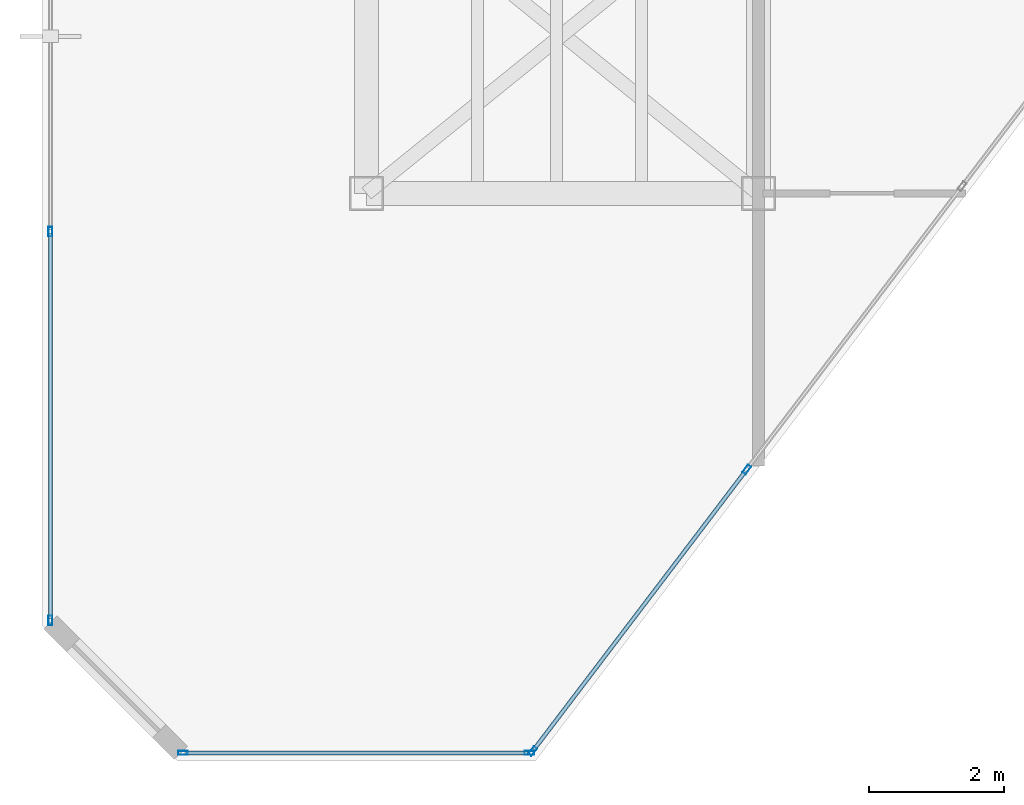
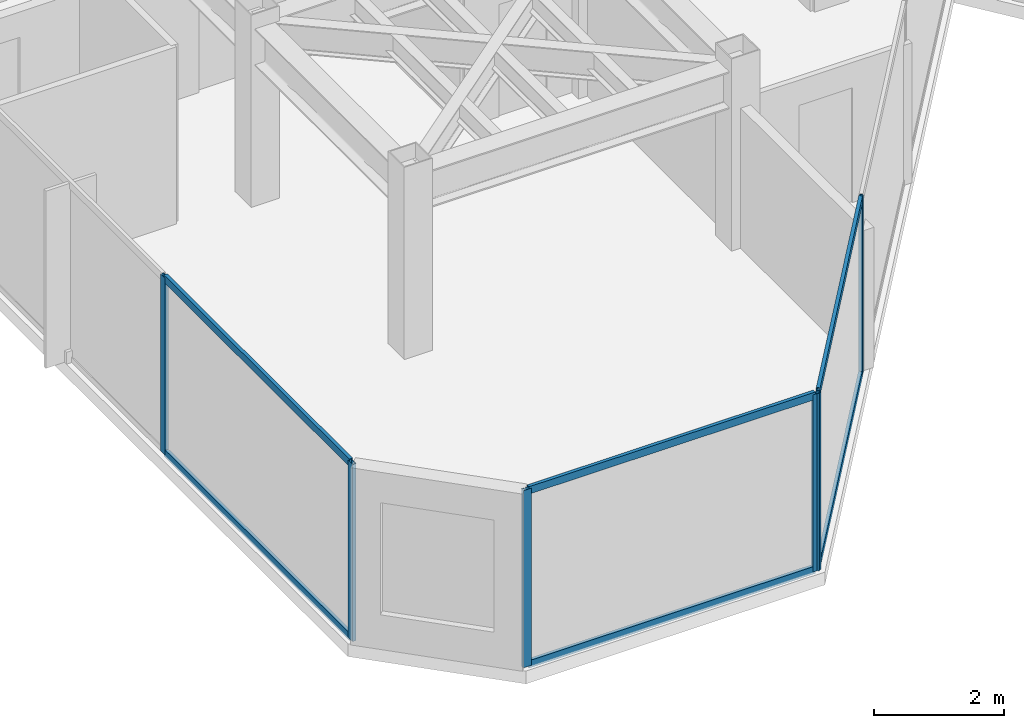
# One storey, part 2 of 19: 12 members, 3 elements without a shape of their own.
"""IFC4 building model written with IfcOpenShell, lengths in metres."""

from ifc_helpers import new_model, si_unit, direction, frame, origin, origin_2d, place, context, subcontext, project, spatial, hollow_rectangle, extrude, material, layer, layer_set, material_profile, profile_set, type_object, element, aggregate, save


model = new_model("IFC4")

# Units and contexts
model_context = context("Model", 3, precision=1e-05, world=origin(), true_north=direction((0.0, 1.0)))
body_context = subcontext(model_context, "Body", "Model", "MODEL_VIEW")
ifc_project = project(units=[si_unit("LENGTHUNIT", "METRE"), si_unit("AREAUNIT", "SQUARE_METRE"), si_unit("VOLUMEUNIT", "CUBIC_METRE"), si_unit("PLANEANGLEUNIT", "RADIAN"), si_unit("MASSUNIT", "GRAM", prefix="KILO")], contexts=[model_context])

# Site, building, storey
site_placement = place(None, origin())
site = spatial("IfcSite", under=ifc_project, at=site_placement, CompositionType="ELEMENT")
building_placement = place(site_placement, origin())
building = spatial("IfcBuilding", under=site, at=building_placement, Name="Kravanh Interchange Tower", CompositionType="ELEMENT")
storey_placement = place(building_placement, frame((0.0, 0.0, 274.199951171875)))
storey = spatial("IfcBuildingStorey", under=building, at=storey_placement, Name="L67", CompositionType="ELEMENT", Elevation=274.199951171875)

# Curtain wall, members
ifc_material_1 = material(Name="Anodised Bronze Aluminium", Category="aluminium")
ifc_layer = layer(ifc_material_1, 0.179931640625)
ifc_layer_set = layer_set([ifc_layer], Name="Unitised Curtain Wall System CW-HTL Luxury Hotel")
curtain_wall_type = type_object("IfcCurtainWallType", Name="Unitised Curtain Wall System CW-HTL Luxury Hotel", PredefinedType="NOTDEFINED", material=ifc_layer_set)
curtain_wall_1_placement = place(storey_placement, origin())
curtain_wall_1 = element("IfcCurtainWall", 1, at=curtain_wall_1_placement, inside=storey, type_object=curtain_wall_type, Name="L67 Unitised Curtain Wall CW-L67-01", PredefinedType="NOTDEFINED")
ifc_material_2 = material(Name="Anodised Bronze Aluminium", Category="aluminium")
ifc_material_profile_1 = material_profile(ifc_material_2, hollow_rectangle(XDim=0.06005859375, YDim=0.139892578125, WallThickness=0.00390625, at=origin_2d()), Name="ALU60X140X4")
ifc_profile_set_1 = profile_set([ifc_material_profile_1], Name="Anodised Bronze Aluminium")
member_type_1 = type_object("IfcMemberType", Name="Curtain Wall Mullion ALU60X140X4 Bronze", PredefinedType="MULLION", material=ifc_profile_set_1)
member_1_placement = place(storey_placement, frame((28.1201171875, 20.479736328125, 0.0), z_axis=(0.0, 0.0, 1.0), x_axis=(-1.0, 0.0, 0.0)))
member_1 = element("IfcMember", 2, at=member_1_placement, type_object=member_type_1, Name="CW-HTL mullion 1", PredefinedType="MULLION", context=body_context, shape_type="SweptSolid", body=[
    extrude(hollow_rectangle(XDim=0.06005859375, YDim=0.139892578125, WallThickness=0.00390625, at=origin_2d()), origin(), (0.0, 0.0, 1.0), 3.320068359375),
])
member_2_placement = place(storey_placement, frame((28.1201171875, 26.233154296875, 0.0), z_axis=(0.0, 0.0, 1.0), x_axis=(-1.0, 0.0, 0.0)))
member_2 = element("IfcMember", 3, at=member_2_placement, type_object=member_type_1, Name="CW-HTL mullion 2", PredefinedType="MULLION", context=body_context, shape_type="SweptSolid", body=[
    extrude(hollow_rectangle(XDim=0.06005859375, YDim=0.139892578125, WallThickness=0.00390625, at=origin_2d()), origin(), (0.0, 0.0, 1.0), 3.320068359375),
])

curtain_wall_2_placement = place(storey_placement, origin())
curtain_wall_2 = element("IfcCurtainWall", 4, at=curtain_wall_2_placement, inside=storey, type_object=curtain_wall_type, Name="L67 Unitised Curtain Wall CW-L67-05", PredefinedType="NOTDEFINED")
member_3_placement = place(storey_placement, frame((38.427001953125, 22.712646484375, 0.0), z_axis=(0.0, 0.0, 1.0), x_axis=(0.79616243806, -0.605082946564, 0.0)))
member_3 = element("IfcMember", 5, at=member_3_placement, type_object=member_type_1, Name="CW-HTL mullion 3", PredefinedType="MULLION", context=body_context, shape_type="SweptSolid", body=[
    extrude(hollow_rectangle(XDim=0.06005859375, YDim=0.139892578125, WallThickness=0.00390625, at=origin_2d()), origin(), (0.0, 0.0, 1.0), 3.320068359375),
])
member_4_placement = place(storey_placement, frame((35.258544921875, 18.5439453125, 0.0), z_axis=(0.0, 0.0, 1.0), x_axis=(0.79616243806, -0.605082946564, 0.0)))
member_4 = element("IfcMember", 6, at=member_4_placement, type_object=member_type_1, Name="CW-HTL mullion 4", PredefinedType="MULLION", context=body_context, shape_type="SweptSolid", body=[
    extrude(hollow_rectangle(XDim=0.06005859375, YDim=0.139892578125, WallThickness=0.00390625, at=origin_2d()), origin(), (0.0, 0.0, 1.0), 3.320068359375),
])

curtain_wall_3_placement = place(storey_placement, origin())
curtain_wall_3 = element("IfcCurtainWall", 7, at=curtain_wall_3_placement, inside=storey, type_object=curtain_wall_type, Name="L67 Unitised Curtain Wall CW-L67-06", PredefinedType="NOTDEFINED")
member_5_placement = place(storey_placement, frame((35.21044921875, 18.52001953125, 0.0), z_axis=(0.0, 0.0, 1.0), x_axis=(0.0, -1.0, 0.0)))
member_5 = element("IfcMember", 8, at=member_5_placement, type_object=member_type_1, Name="CW-HTL mullion 1", PredefinedType="MULLION", context=body_context, shape_type="SweptSolid", body=[
    extrude(hollow_rectangle(XDim=0.06005859375, YDim=0.139892578125, WallThickness=0.00390625, at=origin_2d()), origin(), (0.0, 0.0, 1.0), 3.320068359375),
])
member_6_placement = place(storey_placement, frame((30.07958984375, 18.52001953125, 0.0), z_axis=(0.0, 0.0, 1.0), x_axis=(0.0, -1.0, 0.0)))
member_6 = element("IfcMember", 9, at=member_6_placement, type_object=member_type_1, Name="CW-HTL mullion 2", PredefinedType="MULLION", context=body_context, shape_type="SweptSolid", body=[
    extrude(hollow_rectangle(XDim=0.06005859375, YDim=0.139892578125, WallThickness=0.00390625, at=origin_2d()), origin(), (0.0, 0.0, 1.0), 3.320068359375),
])

# Member
ifc_material_3 = material(Name="Anodised Bronze Aluminium", Category="aluminium")
ifc_material_profile_2 = material_profile(ifc_material_3, hollow_rectangle(XDim=0.06005859375, YDim=0.139892578125, WallThickness=0.00390625, at=origin_2d()), Name="ALU60X140X4")
ifc_profile_set_2 = profile_set([ifc_material_profile_2], Name="Anodised Bronze Aluminium")
member_type_2 = type_object("IfcMemberType", Name="Curtain Wall Transom ALU60X140X4 Bronze", PredefinedType="USERDEFINED", material=ifc_profile_set_2)
member_7_placement = place(storey_placement, frame((28.1201171875, 20.509765625, 0.030029296875), z_axis=(0.0, 1.0, 0.0), x_axis=(-1.0, 0.0, 0.0)))
member_7 = element("IfcMember", 10, at=member_7_placement, type_object=member_type_2, Name="CW-HTL transom 1.1", ObjectType="TRANSOM", PredefinedType="USERDEFINED", context=body_context, shape_type="SweptSolid", body=[
    extrude(hollow_rectangle(XDim=0.06005859375, YDim=0.139892578125, WallThickness=0.00390625, at=origin_2d()), origin(), (0.0, 0.0, 1.0), 5.693359375),
])

member_8_placement = place(storey_placement, frame((28.1201171875, 20.509765625, 3.2900390625), z_axis=(0.0, 1.0, 0.0), x_axis=(-1.0, 0.0, 0.0)))
member_8 = element("IfcMember", 11, at=member_8_placement, type_object=member_type_2, Name="CW-HTL transom 1.2", ObjectType="TRANSOM", PredefinedType="USERDEFINED", context=body_context, shape_type="SweptSolid", body=[
    extrude(hollow_rectangle(XDim=0.06005859375, YDim=0.139892578125, WallThickness=0.00390625, at=origin_2d()), origin(), (0.0, 0.0, 1.0), 5.693359375),
])

aggregate(curtain_wall_1, [member_1, member_2, member_7, member_8])

member_9_placement = place(storey_placement, frame((38.408935546875, 22.68896484375, 0.030029296875), z_axis=(-0.605089246946, -0.796157649734, 0.0), x_axis=(0.796157649734, -0.605089246946, 0.0)))
member_9 = element("IfcMember", 12, at=member_9_placement, type_object=member_type_2, Name="CW-HTL transom 3.1", ObjectType="TRANSOM", PredefinedType="USERDEFINED", context=body_context, shape_type="SweptSolid", body=[
    extrude(hollow_rectangle(XDim=0.06005859375, YDim=0.139892578125, WallThickness=0.00390625, at=origin_2d()), origin(), (0.0, 0.0, 1.0), 5.17626953125),
])

member_10_placement = place(storey_placement, frame((38.408935546875, 22.68896484375, 3.2900390625), z_axis=(-0.605089246946, -0.796157649734, 0.0), x_axis=(0.796157649734, -0.605089246946, 0.0)))
member_10 = element("IfcMember", 13, at=member_10_placement, type_object=member_type_2, Name="CW-HTL transom 3.2", ObjectType="TRANSOM", PredefinedType="USERDEFINED", context=body_context, shape_type="SweptSolid", body=[
    extrude(hollow_rectangle(XDim=0.06005859375, YDim=0.139892578125, WallThickness=0.00390625, at=origin_2d()), origin(), (0.0, 0.0, 1.0), 5.17626953125),
])

aggregate(curtain_wall_2, [member_3, member_4, member_9, member_10])

member_11_placement = place(storey_placement, frame((35.180419921875, 18.52001953125, 0.030029296875), z_axis=(-1.0, 0.0, 0.0), x_axis=(0.0, -1.0, 0.0)))
member_11 = element("IfcMember", 14, at=member_11_placement, type_object=member_type_2, Name="CW-HTL transom 1.1", ObjectType="TRANSOM", PredefinedType="USERDEFINED", context=body_context, shape_type="SweptSolid", body=[
    extrude(hollow_rectangle(XDim=0.06005859375, YDim=0.139892578125, WallThickness=0.00390625, at=origin_2d()), origin(), (0.0, 0.0, 1.0), 5.07080078125),
])

member_12_placement = place(storey_placement, frame((35.180419921875, 18.52001953125, 3.2900390625), z_axis=(-1.0, 0.0, 0.0), x_axis=(0.0, -1.0, 0.0)))
member_12 = element("IfcMember", 15, at=member_12_placement, type_object=member_type_2, Name="CW-HTL transom 1.2", ObjectType="TRANSOM", PredefinedType="USERDEFINED", context=body_context, shape_type="SweptSolid", body=[
    extrude(hollow_rectangle(XDim=0.06005859375, YDim=0.139892578125, WallThickness=0.00390625, at=origin_2d()), origin(), (0.0, 0.0, 1.0), 5.07080078125),
])

aggregate(curtain_wall_3, [member_5, member_6, member_11, member_12])

save(model, "model.ifc")
